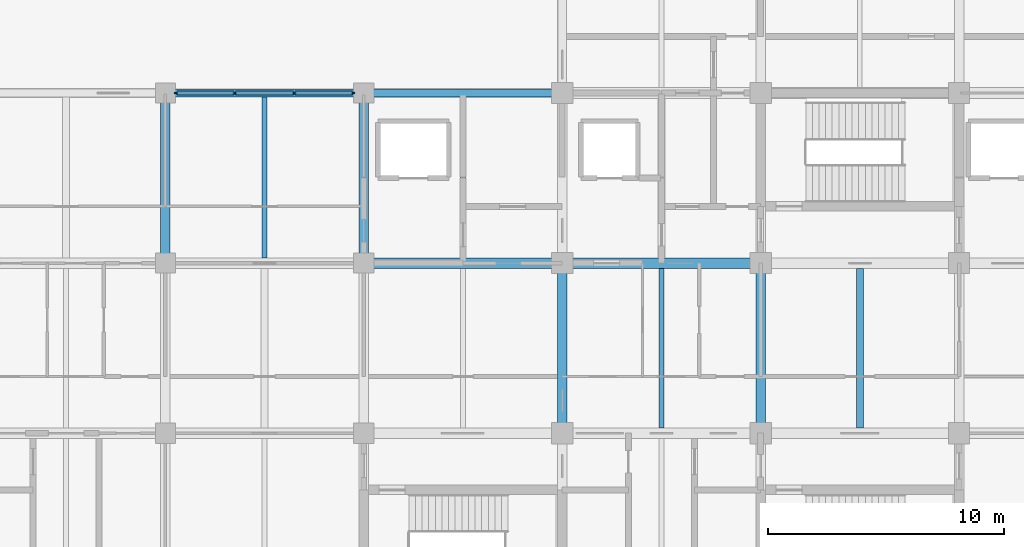
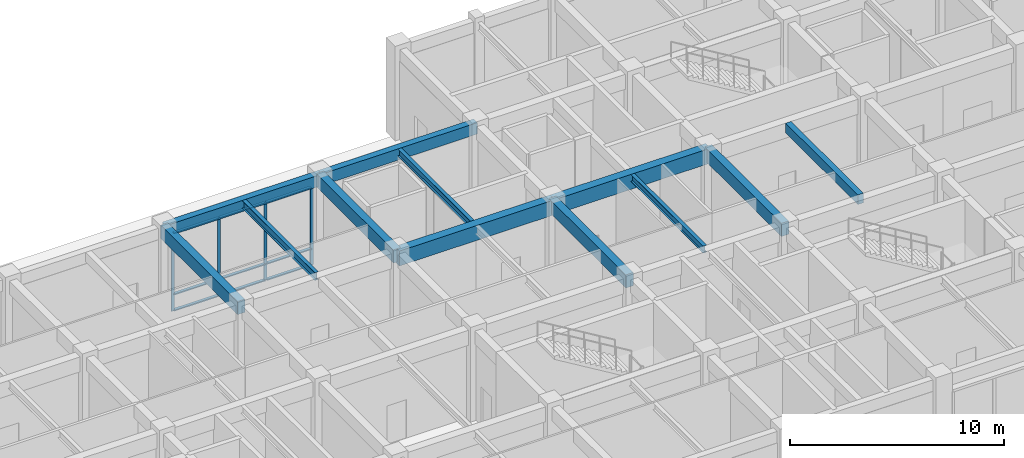
# One storey, part 18 of 73: 13 members, 12 beams, 1 element without a shape of its own.
"""IFC4 building model written with IfcOpenShell, lengths in metres."""

from ifc_helpers import new_model, si_unit, direction, frame, origin, origin_2d, place, context, subcontext, project, spatial, rectangle, i_section, extrude, material, layer, layer_set, material_profile, profile_set, type_object, element, aggregate, save


model = new_model("IFC4")

# Units and contexts
model_context = context("Model", 3, precision=1e-05, world=origin(), true_north=direction((0.0, 1.0)))
body_context = subcontext(model_context, "Body", "Model", "MODEL_VIEW")
ifc_project = project(units=[si_unit("LENGTHUNIT", "METRE"), si_unit("AREAUNIT", "SQUARE_METRE"), si_unit("VOLUMEUNIT", "CUBIC_METRE"), si_unit("PLANEANGLEUNIT", "RADIAN"), si_unit("MASSUNIT", "GRAM", prefix="KILO")], contexts=[model_context])

# Site, building, storey
site_placement = place(None, origin())
site = spatial("IfcSite", under=ifc_project, at=site_placement, CompositionType="ELEMENT")
building_placement = place(site_placement, origin())
building = spatial("IfcBuilding", under=site, at=building_placement, Name="Chengyuan Square Courthouse", CompositionType="ELEMENT")
storey_placement = place(building_placement, origin())
storey = spatial("IfcBuildingStorey", under=building, at=storey_placement, Name="L01", CompositionType="ELEMENT", Elevation=0.0)

# Beams
ifc_material_1 = material(Name="Concrete C40", Category="concrete")
ifc_material_profile_1 = material_profile(ifc_material_1, rectangle(XDim=0.449951171875, YDim=0.85009765625, at=origin_2d()), Name="RC-BM-450x850")
ifc_profile_set_1 = profile_set([ifc_material_profile_1], Name="Concrete C40")
beam_type_1 = type_object("IfcBeamType", Name="BM-01", PredefinedType="USERDEFINED", material=ifc_profile_set_1)
beam_1_placement = place(storey_placement, frame((42.0, 100.800048828125, 4.695068359375), z_axis=(1.0, 0.0, 0.0), x_axis=(0.0, 1.0, 0.0)))
element("IfcBeam", 1, at=beam_1_placement, inside=storey, type_object=beam_type_1, Name="Girder BM-L01-1754", ObjectType="GIRDER", PredefinedType="USERDEFINED", context=body_context, shape_type="SweptSolid", body=[
    extrude(rectangle(XDim=0.449951171875, YDim=0.85009765625, at=origin_2d()), origin(), (0.0, 0.0, 1.0), 8.39990234375),
])
beam_2_placement = place(storey_placement, frame((50.39990234375, 100.800048828125, 4.695068359375), z_axis=(1.0, 0.0, 0.0), x_axis=(0.0, 1.0, 0.0)))
element("IfcBeam", 2, at=beam_2_placement, inside=storey, type_object=beam_type_1, Name="Girder BM-L01-1755", ObjectType="GIRDER", PredefinedType="USERDEFINED", context=body_context, shape_type="SweptSolid", body=[
    extrude(rectangle(XDim=0.449951171875, YDim=0.85009765625, at=origin_2d()), origin(), (0.0, 0.0, 1.0), 8.400146484375),
])
ifc_material_profile_2 = material_profile(ifc_material_1, rectangle(XDim=0.39990234375, YDim=0.75, at=origin_2d()), Name="RC-BM-400x750")
ifc_profile_set_2 = profile_set([ifc_material_profile_2], Name="Concrete C40")
beam_type_2 = type_object("IfcBeamType", Name="BM-02", PredefinedType="USERDEFINED", material=ifc_profile_set_2)
for number, where, z_axis, x_axis, name in (
    (3, (33.60009765625, 100.800048828125, 4.7451171875), (0.0, 1.0, 0.0), (-1.0, 0.0, 0.0), "Girder BM-L01-1849"),
    (4, (42.0, 100.800048828125, 4.7451171875), (0.0, 1.0, 0.0), (-1.0, 0.0, 0.0), "Girder BM-L01-1853"),
    (5, (50.39990234375, 93.60009765625, 4.7451171875), (0.0, 1.0, 0.0), (-1.0, 0.0, 0.0), "Girder BM-L01-1856"),
    (6, (58.800048828125, 93.60009765625, 4.7451171875), (0.0, 1.0, 0.0), (-1.0, 0.0, 0.0), "Girder BM-L01-1861"),
):
    element("IfcBeam", number, at=place(storey_placement, frame(where, z_axis=z_axis, x_axis=x_axis)), inside=storey, type_object=beam_type_2, Name=name, ObjectType="GIRDER", PredefinedType="USERDEFINED", context=body_context, shape_type="SweptSolid", body=[
        extrude(rectangle(XDim=0.39990234375, YDim=0.75, at=origin_2d()), origin(), (0.0, 0.0, 1.0), 7.199951171875),
    ])
ifc_material_profile_3 = material_profile(ifc_material_1, rectangle(XDim=0.35009765625, YDim=0.64990234375, at=origin_2d()), Name="RC-BM-350x650")
ifc_profile_set_3 = profile_set([ifc_material_profile_3], Name="Concrete C40")
beam_type_3 = type_object("IfcBeamType", Name="BM-03", PredefinedType="SPANDREL", material=ifc_profile_set_3)
for number, where, z_axis, x_axis, name in (
    (7, (33.60009765625, 108.0, 4.794921875), (1.0, 0.0, 0.0), (0.0, 1.0, 0.0), "Girder BM-L01-1773"),
    (8, (42.0, 108.0, 4.794921875), (1.0, 0.0, 0.0), (0.0, 1.0, 0.0), "Girder BM-L01-1774"),
):
    element("IfcBeam", number, at=place(storey_placement, frame(where, z_axis=z_axis, x_axis=x_axis)), inside=storey, type_object=beam_type_3, Name=name, PredefinedType="SPANDREL", context=body_context, shape_type="SweptSolid", body=[
        extrude(rectangle(XDim=0.35009765625, YDim=0.64990234375, at=origin_2d()), origin(), (0.0, 0.0, 1.0), 8.39990234375),
    ])
ifc_material_profile_4 = material_profile(ifc_material_1, rectangle(XDim=0.300048828125, YDim=0.550048828125, at=origin_2d()), Name="RC-BM-300x550")
ifc_profile_set_4 = profile_set([ifc_material_profile_4], Name="Concrete C40")
beam_type_4 = type_object("IfcBeamType", Name="BM-04", PredefinedType="BEAM", material=ifc_profile_set_4)
beam_3_placement = place(storey_placement, frame((63.0, 93.824951171875, 4.844970703125), z_axis=(0.0, 1.0, 0.0), x_axis=(-1.0, 0.0, 0.0)))
element("IfcBeam", 9, at=beam_3_placement, inside=storey, type_object=beam_type_4, Name="Secondary Floor Beam SBM-L01-2006", PredefinedType="BEAM", context=body_context, shape_type="SweptSolid", body=[
    extrude(rectangle(XDim=0.300048828125, YDim=0.550048828125, at=origin_2d()), origin(), (0.0, 0.0, 1.0), 6.75),
])
ifc_material_2 = material(Name="Steel Q355B", Category="steel")
ifc_material_profile_5 = material_profile(ifc_material_2, i_section(OverallWidth=0.199951171875, OverallDepth=0.449951171875, WebThickness=0.009033203125, FlangeThickness=0.013916015625, at=origin_2d()), Name="HN 450x200x9x14")
ifc_profile_set_5 = profile_set([ifc_material_profile_5], Name="Steel Q355B")
beam_type_5 = type_object("IfcBeamType", Name="BM-06", PredefinedType="BEAM", material=ifc_profile_set_5)
beam_4_placement = place(storey_placement, frame((37.800048828125, 101.02490234375, 4.89501953125), z_axis=(0.0, 1.0, 0.0), x_axis=(-1.0, 0.0, 0.0)))
element("IfcBeam", 10, at=beam_4_placement, inside=storey, type_object=beam_type_5, Name="Secondary Floor Beam SBM-L01-1996", PredefinedType="BEAM", context=body_context, shape_type="SweptSolid", body=[
    extrude(i_section(OverallWidth=0.199951171875, OverallDepth=0.449951171875, WebThickness=0.009033203125, FlangeThickness=0.013916015625, at=origin_2d()), origin(), (0.0, 0.0, 1.0), 6.800048828125),
])
ifc_material_profile_6 = material_profile(ifc_material_2, i_section(OverallWidth=0.199951171875, OverallDepth=0.39990234375, WebThickness=0.008056640625, FlangeThickness=0.012939453125, at=origin_2d()), Name="HN 400x200x8x13")
ifc_profile_set_6 = profile_set([ifc_material_profile_6], Name="Steel Q355B")
beam_type_6 = type_object("IfcBeamType", Name="BM-07", PredefinedType="BEAM", material=ifc_profile_set_6)
beam_5_placement = place(storey_placement, frame((46.199951171875, 101.02490234375, 4.919921875), z_axis=(0.0, 1.0, 0.0), x_axis=(-1.0, 0.0, 0.0)))
element("IfcBeam", 11, at=beam_5_placement, inside=storey, type_object=beam_type_6, Name="Secondary Floor Beam SBM-L01-1999", PredefinedType="BEAM", context=body_context, shape_type="SweptSolid", body=[
    extrude(i_section(OverallWidth=0.199951171875, OverallDepth=0.39990234375, WebThickness=0.008056640625, FlangeThickness=0.012939453125, at=origin_2d()), origin(), (0.0, 0.0, 1.0), 6.800048828125),
])
beam_6_placement = place(storey_placement, frame((54.60009765625, 93.824951171875, 4.919921875), z_axis=(0.0, 1.0, 0.0), x_axis=(-1.0, 0.0, 0.0)))
element("IfcBeam", 12, at=beam_6_placement, inside=storey, type_object=beam_type_6, Name="Secondary Floor Beam SBM-L01-2002", PredefinedType="BEAM", context=body_context, shape_type="SweptSolid", body=[
    extrude(i_section(OverallWidth=0.199951171875, OverallDepth=0.39990234375, WebThickness=0.008056640625, FlangeThickness=0.012939453125, at=origin_2d()), origin(), (0.0, 0.0, 1.0), 6.75),
])

# Curtain wall, members
ifc_material_3 = material(Name="Unitised Aluminium and Triple Low-E Glass", Category="aluminium")
ifc_layer = layer(ifc_material_3, 0.159912109375)
ifc_layer_set = layer_set([ifc_layer], Name="Unitised Aluminium and Triple Low-E Glass")
curtain_wall_type = type_object("IfcCurtainWallType", Name="CW-01", PredefinedType="USERDEFINED", material=ifc_layer_set)
curtain_wall_placement = place(storey_placement, origin())
curtain_wall = element("IfcCurtainWall", 13, at=curtain_wall_placement, inside=storey, type_object=curtain_wall_type, Name="Unitised Curtain Wall CW-L01-017", ObjectType="UNITISED CURTAIN WALL", PredefinedType="USERDEFINED")
ifc_material_4 = material(Name="Aluminium 6063-T6 Frame", Category="aluminium")
ifc_material_profile_7 = material_profile(ifc_material_4, rectangle(XDim=0.06005859375, YDim=0.159912109375, at=origin_2d()), Name="CW-MUL-60x160")
ifc_profile_set_7 = profile_set([ifc_material_profile_7], Name="Aluminium 6063-T6 Frame")
member_type_1 = type_object("IfcMemberType", Name="CWM-01", PredefinedType="MULLION", material=ifc_profile_set_7)
member_1_placement = place(storey_placement, frame((34.054931640625, 108.0, 0.0), z_axis=(0.0, 0.0, 1.0), x_axis=(0.0, 1.0, 0.0)))
member_1 = element("IfcMember", 14, at=member_1_placement, type_object=member_type_1, Name="CW-01 mullion 1", PredefinedType="MULLION", context=body_context, shape_type="SweptSolid", body=[
    extrude(rectangle(XDim=0.06005859375, YDim=0.159912109375, at=origin_2d()), origin(), (0.0, 0.0, 1.0), 4.469970703125),
])
member_2_placement = place(storey_placement, frame((36.541748046875, 108.0, 0.0), z_axis=(0.0, 0.0, 1.0), x_axis=(0.0, 1.0, 0.0)))
member_2 = element("IfcMember", 15, at=member_2_placement, type_object=member_type_1, Name="CW-01 mullion 2", PredefinedType="MULLION", context=body_context, shape_type="SweptSolid", body=[
    extrude(rectangle(XDim=0.06005859375, YDim=0.159912109375, at=origin_2d()), origin(), (0.0, 0.0, 1.0), 4.469970703125),
])
member_3_placement = place(storey_placement, frame((39.058349609375, 108.0, 0.0), z_axis=(0.0, 0.0, 1.0), x_axis=(0.0, 1.0, 0.0)))
member_3 = element("IfcMember", 16, at=member_3_placement, type_object=member_type_1, Name="CW-01 mullion 3", PredefinedType="MULLION", context=body_context, shape_type="SweptSolid", body=[
    extrude(rectangle(XDim=0.06005859375, YDim=0.159912109375, at=origin_2d()), origin(), (0.0, 0.0, 1.0), 4.469970703125),
])
member_4_placement = place(storey_placement, frame((41.544921875, 108.0, 0.0), z_axis=(0.0, 0.0, 1.0), x_axis=(0.0, 1.0, 0.0)))
member_4 = element("IfcMember", 17, at=member_4_placement, type_object=member_type_1, Name="CW-01 mullion 4", PredefinedType="MULLION", context=body_context, shape_type="SweptSolid", body=[
    extrude(rectangle(XDim=0.06005859375, YDim=0.159912109375, at=origin_2d()), origin(), (0.0, 0.0, 1.0), 4.469970703125),
])
ifc_material_profile_8 = material_profile(ifc_material_4, rectangle(XDim=0.159912109375, YDim=0.06005859375, at=origin_2d()), Name="CW-TRN-60x120")
ifc_profile_set_8 = profile_set([ifc_material_profile_8], Name="Aluminium 6063-T6 Frame")
member_type_2 = type_object("IfcMemberType", Name="CWT-01", PredefinedType="USERDEFINED", material=ifc_profile_set_8)
member_5_placement = place(storey_placement, frame((34.0849609375, 108.0, 0.030029296875), z_axis=(1.0, 0.0, 0.0), x_axis=(0.0, 1.0, 0.0)))
member_5 = element("IfcMember", 18, at=member_5_placement, type_object=member_type_2, Name="CW-01 transom 1.1", ObjectType="TRANSOM", PredefinedType="USERDEFINED", context=body_context, shape_type="SweptSolid", body=[
    extrude(rectangle(XDim=0.159912109375, YDim=0.06005859375, at=origin_2d()), origin(), (0.0, 0.0, 1.0), 2.4267578125),
])
member_6_placement = place(storey_placement, frame((34.0849609375, 108.0, 0.949951171875), z_axis=(1.0, 0.0, 0.0), x_axis=(0.0, 1.0, 0.0)))
member_6 = element("IfcMember", 19, at=member_6_placement, type_object=member_type_2, Name="CW-01 transom 1.2", ObjectType="TRANSOM", PredefinedType="USERDEFINED", context=body_context, shape_type="SweptSolid", body=[
    extrude(rectangle(XDim=0.159912109375, YDim=0.06005859375, at=origin_2d()), origin(), (0.0, 0.0, 1.0), 2.4267578125),
])
member_7_placement = place(storey_placement, frame((34.0849609375, 108.0, 4.43994140625), z_axis=(1.0, 0.0, 0.0), x_axis=(0.0, 1.0, 0.0)))
member_7 = element("IfcMember", 20, at=member_7_placement, type_object=member_type_2, Name="CW-01 transom 1.3", ObjectType="TRANSOM", PredefinedType="USERDEFINED", context=body_context, shape_type="SweptSolid", body=[
    extrude(rectangle(XDim=0.159912109375, YDim=0.06005859375, at=origin_2d()), origin(), (0.0, 0.0, 1.0), 2.4267578125),
])
member_8_placement = place(storey_placement, frame((36.57177734375, 108.0, 0.030029296875), z_axis=(1.0, 0.0, 0.0), x_axis=(0.0, 1.0, 0.0)))
member_8 = element("IfcMember", 21, at=member_8_placement, type_object=member_type_2, Name="CW-01 transom 2.1", ObjectType="TRANSOM", PredefinedType="USERDEFINED", context=body_context, shape_type="SweptSolid", body=[
    extrude(rectangle(XDim=0.159912109375, YDim=0.06005859375, at=origin_2d()), origin(), (0.0, 0.0, 1.0), 2.45654296875),
])
member_9_placement = place(storey_placement, frame((36.57177734375, 108.0, 0.949951171875), z_axis=(1.0, 0.0, 0.0), x_axis=(0.0, 1.0, 0.0)))
member_9 = element("IfcMember", 22, at=member_9_placement, type_object=member_type_2, Name="CW-01 transom 2.2", ObjectType="TRANSOM", PredefinedType="USERDEFINED", context=body_context, shape_type="SweptSolid", body=[
    extrude(rectangle(XDim=0.159912109375, YDim=0.06005859375, at=origin_2d()), origin(), (0.0, 0.0, 1.0), 2.45654296875),
])
member_10_placement = place(storey_placement, frame((36.57177734375, 108.0, 4.43994140625), z_axis=(1.0, 0.0, 0.0), x_axis=(0.0, 1.0, 0.0)))
member_10 = element("IfcMember", 23, at=member_10_placement, type_object=member_type_2, Name="CW-01 transom 2.3", ObjectType="TRANSOM", PredefinedType="USERDEFINED", context=body_context, shape_type="SweptSolid", body=[
    extrude(rectangle(XDim=0.159912109375, YDim=0.06005859375, at=origin_2d()), origin(), (0.0, 0.0, 1.0), 2.45654296875),
])
member_11_placement = place(storey_placement, frame((39.08837890625, 108.0, 0.030029296875), z_axis=(1.0, 0.0, 0.0), x_axis=(0.0, 1.0, 0.0)))
member_11 = element("IfcMember", 24, at=member_11_placement, type_object=member_type_2, Name="CW-01 transom 3.1", ObjectType="TRANSOM", PredefinedType="USERDEFINED", context=body_context, shape_type="SweptSolid", body=[
    extrude(rectangle(XDim=0.159912109375, YDim=0.06005859375, at=origin_2d()), origin(), (0.0, 0.0, 1.0), 2.426513671875),
])
member_12_placement = place(storey_placement, frame((39.08837890625, 108.0, 0.949951171875), z_axis=(1.0, 0.0, 0.0), x_axis=(0.0, 1.0, 0.0)))
member_12 = element("IfcMember", 25, at=member_12_placement, type_object=member_type_2, Name="CW-01 transom 3.2", ObjectType="TRANSOM", PredefinedType="USERDEFINED", context=body_context, shape_type="SweptSolid", body=[
    extrude(rectangle(XDim=0.159912109375, YDim=0.06005859375, at=origin_2d()), origin(), (0.0, 0.0, 1.0), 2.426513671875),
])
member_13_placement = place(storey_placement, frame((39.08837890625, 108.0, 4.43994140625), z_axis=(1.0, 0.0, 0.0), x_axis=(0.0, 1.0, 0.0)))
member_13 = element("IfcMember", 26, at=member_13_placement, type_object=member_type_2, Name="CW-01 transom 3.3", ObjectType="TRANSOM", PredefinedType="USERDEFINED", context=body_context, shape_type="SweptSolid", body=[
    extrude(rectangle(XDim=0.159912109375, YDim=0.06005859375, at=origin_2d()), origin(), (0.0, 0.0, 1.0), 2.426513671875),
])
aggregate(curtain_wall, [member_1, member_2, member_3, member_4, member_5, member_6, member_7, member_8, member_9, member_10, member_11, member_12, member_13])

save(model, "model.ifc")
